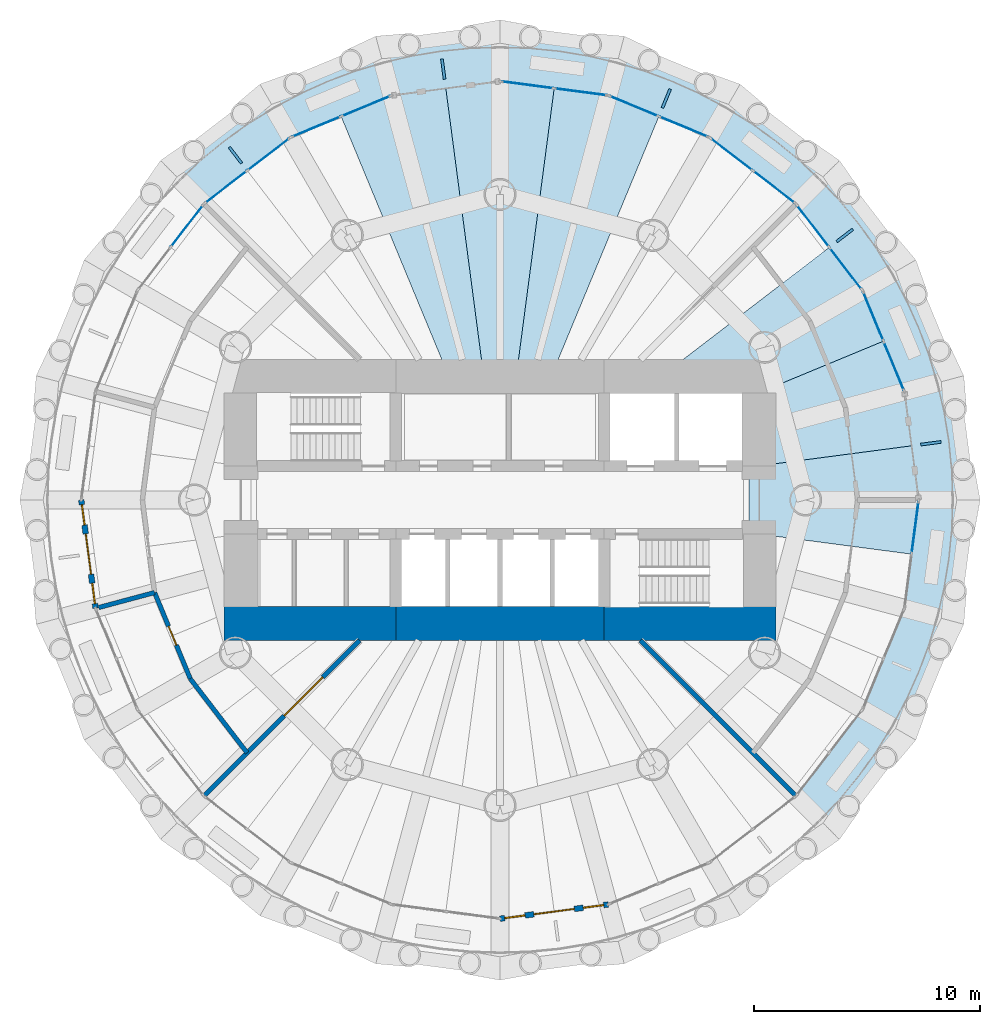
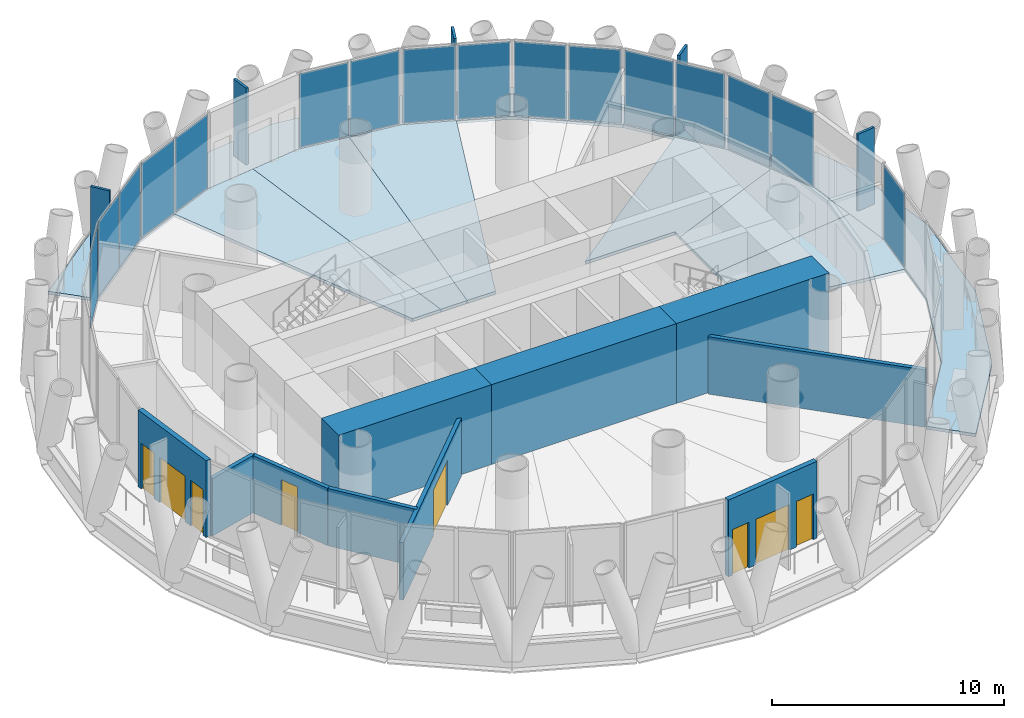
# One storey, part 7 of 12: 21 plates, 10 walls, 8 slabs, 4 doors, 4 windows, 8 openings, 9 elements without a shape of their own.
"""IFC4 building model written with IfcOpenShell, lengths in metres."""

from ifc_helpers import new_model, si_unit, direction, frame, frame_2d, origin, origin_2d, place, context, subcontext, project, spatial, polyline, rectangle, outline, extrude, material, layer, layer_set, type_object, element, fill, aggregate, save


model = new_model("IFC4")

# Units and contexts
model_context = context("Model", 3, precision=1e-05, world=origin(), true_north=direction((0.0, 1.0)))
body_context = subcontext(model_context, "Body", "Model", "MODEL_VIEW")
ifc_project = project(units=[si_unit("LENGTHUNIT", "METRE"), si_unit("AREAUNIT", "SQUARE_METRE"), si_unit("VOLUMEUNIT", "CUBIC_METRE"), si_unit("PLANEANGLEUNIT", "RADIAN"), si_unit("MASSUNIT", "GRAM", prefix="KILO")], contexts=[model_context])

# Site, building, storey
site_placement = place(None, origin())
site = spatial("IfcSite", under=ifc_project, at=site_placement, CompositionType="ELEMENT")
building_placement = place(site_placement, origin())
building = spatial("IfcBuilding", under=site, at=building_placement, Name="Qaws Media Tower", CompositionType="ELEMENT")
storey_placement = place(building_placement, frame((0.0, 0.0, 278.0)))
storey = spatial("IfcBuildingStorey", under=building, at=storey_placement, Name="L64", CompositionType="ELEMENT", Elevation=278.0)

# Slabs
ifc_material_1 = material(Name="Concrete C35/45", Category="concrete")
ifc_layer_1 = layer(ifc_material_1, 0.159912109375)
ifc_layer_set_1 = layer_set([ifc_layer_1], Name="Composite balcony slab 160")
slab_type_1 = type_object("IfcSlabType", Name="Composite balcony slab 160", PredefinedType="FLOOR", material=ifc_layer_set_1)
slab_1_placement = place(storey_placement, frame((0.0, 0.0, -0.159912109375)))
element("IfcSlab", 1, at=slab_1_placement, inside=storey, type_object=slab_type_1, Name="S2 balcony slab L64 R04 to R10, movement joints on R04 and R10", PredefinedType="FLOOR", context=body_context, shape_type="SweptSolid", body=[
    extrude(outline(polyline([(45.36279296875, 64.63720703125), (49.64990234375, 67.9267578125), (54.642333984375, 69.99462890625), (60.0, 70.699951171875), (65.357666015625, 69.99462890625), (70.35009765625, 67.9267578125), (74.63720703125, 64.63720703125), (73.08154296875, 63.08154296875), (69.25, 66.021484375), (64.7880859375, 67.86962890625), (60.0, 68.5), (55.2119140625, 67.86962890625), (50.75, 66.021484375), (46.91845703125, 63.08154296875), (45.36279296875, 64.63720703125)])), origin(), (0.0, 0.0, 1.0), 0.159912109375),
])
slab_2_placement = place(storey_placement, frame((0.0, 0.0, -0.159912109375)))
element("IfcSlab", 2, at=slab_2_placement, inside=storey, type_object=slab_type_1, Name="S2 balcony slab L64 R22 to R04, movement joints on R22 and R04", PredefinedType="FLOOR", context=body_context, shape_type="SweptSolid", body=[
    extrude(outline(polyline([(77.9267578125, 39.64990234375), (74.63720703125, 35.36279296875), (73.08154296875, 36.91845703125), (76.021484375, 40.75), (77.86962890625, 45.2119140625), (78.5, 50.0), (77.86962890625, 54.7880859375), (76.021484375, 59.25), (73.08154296875, 63.08154296875), (74.63720703125, 64.63720703125), (77.9267578125, 60.35009765625), (79.99462890625, 55.357666015625), (80.699951171875, 50.0), (79.99462890625, 44.642333984375), (77.9267578125, 39.64990234375)])), origin(), (0.0, 0.0, 1.0), 0.159912109375),
])
ifc_material_2 = material(Name="Concrete C35/45", Category="concrete")
ifc_layer_2 = layer(ifc_material_2, 0.159912109375)
ifc_layer_set_2 = layer_set([ifc_layer_2], Name="Composite floor slab 160")
slab_type_2 = type_object("IfcSlabType", Name="Composite floor slab 160", PredefinedType="FLOOR", material=ifc_layer_set_2)
slab_3_placement = place(storey_placement, frame((0.0, 0.0, -0.159912109375)))
element("IfcSlab", 3, at=slab_3_placement, inside=storey, type_object=slab_type_2, Name="S1 floor panel L64 on R01", PredefinedType="FLOOR", context=body_context, shape_type="SweptSolid", body=[
    extrude(outline(polyline([(78.5, 50.0), (78.184814453125, 47.60595703125), (71.0, 48.5517578125), (71.0, 51.4482421875), (78.184814453125, 52.39404296875), (78.5, 50.0)])), origin(), (0.0, 0.0, 1.0), 0.159912109375),
])
slab_4_placement = place(storey_placement, frame((0.0, 0.0, -0.159912109375)))
element("IfcSlab", 4, at=slab_4_placement, inside=storey, type_object=slab_type_2, Name="S1 floor panel L64 on R02", PredefinedType="FLOOR", context=body_context, shape_type="SweptSolid", body=[
    extrude(outline(polyline([(77.86962890625, 54.7880859375), (78.184814453125, 52.39404296875), (71.0, 51.4482421875), (71.0, 54.556396484375), (76.945556640625, 57.01904296875), (77.86962890625, 54.7880859375)])), origin(), (0.0, 0.0, 1.0), 0.159912109375),
])
slab_5_placement = place(storey_placement, frame((0.0, 0.0, -0.159912109375)))
element("IfcSlab", 5, at=slab_5_placement, inside=storey, type_object=slab_type_2, Name="S1 floor panel L64 on R03", PredefinedType="FLOOR", context=body_context, shape_type="SweptSolid", body=[
    extrude(outline(polyline([(76.021484375, 59.25), (76.945556640625, 57.01904296875), (71.0, 54.556396484375), (71.0, 55.0), (66.51611328125, 55.0), (74.551513671875, 61.165771484375), (76.021484375, 59.25)])), origin(), (0.0, 0.0, 1.0), 0.159912109375),
])
slab_6_placement = place(storey_placement, frame((0.0, 0.0, -0.159912109375)))
element("IfcSlab", 6, at=slab_6_placement, inside=storey, type_object=slab_type_2, Name="S1 floor panel L64 on R06", PredefinedType="FLOOR", context=body_context, shape_type="SweptSolid", body=[
    extrude(outline(polyline([(64.7880859375, 67.86962890625), (67.01904296875, 66.945556640625), (62.071044921875, 55.0), (60.658203125, 55.0), (62.39404296875, 68.184814453125), (64.7880859375, 67.86962890625)])), origin(), (0.0, 0.0, 1.0), 0.159912109375),
])
slab_7_placement = place(storey_placement, frame((0.0, 0.0, -0.159912109375)))
element("IfcSlab", 7, at=slab_7_placement, inside=storey, type_object=slab_type_2, Name="S1 floor panel L64 on R07", PredefinedType="FLOOR", context=body_context, shape_type="SweptSolid", body=[
    extrude(outline(polyline([(60.0, 68.5), (62.39404296875, 68.184814453125), (60.658203125, 55.0), (59.341796875, 55.0), (57.60595703125, 68.184814453125), (60.0, 68.5)])), origin(), (0.0, 0.0, 1.0), 0.159912109375),
])
slab_8_placement = place(storey_placement, frame((0.0, 0.0, -0.159912109375)))
element("IfcSlab", 8, at=slab_8_placement, inside=storey, type_object=slab_type_2, Name="S1 floor panel L64 on R08", PredefinedType="FLOOR", context=body_context, shape_type="SweptSolid", body=[
    extrude(outline(polyline([(55.2119140625, 67.86962890625), (57.60595703125, 68.184814453125), (59.341796875, 55.0), (57.928955078125, 55.0), (52.98095703125, 66.945556640625), (55.2119140625, 67.86962890625)])), origin(), (0.0, 0.0, 1.0), 0.159912109375),
])

# Curtain wall, plates
ifc_material_3 = material(Name="Aluminium and clear glass", Category="aluminium")
curtain_wall_type = type_object("IfcCurtainWallType", Name="Unitised curtain wall CW-D", PredefinedType="NOTDEFINED", material=ifc_material_3)
curtain_wall_1_placement = place(storey_placement, origin())
curtain_wall_1 = element("IfcCurtainWall", 9, at=curtain_wall_1_placement, inside=storey, type_object=curtain_wall_type, Name="CWD curtain wall L64-02", PredefinedType="NOTDEFINED")
ifc_material_4 = material(Name="Clear laminated double glazing", Category="glass")
ifc_layer_3 = layer(ifc_material_4, 0.031982421875)
ifc_layer_set_3 = layer_set([ifc_layer_3], Name="Curtain wall glass unit 32")
plate_type_1 = type_object("IfcPlateType", Name="Curtain wall glass unit 32", PredefinedType="CURTAIN_PANEL", material=ifc_layer_set_3)
plate_1_placement = place(storey_placement, frame((77.39990234375, 55.922119140625, 0.080078125), z_axis=(0.0, 0.0, 1.0), x_axis=(-0.382683440347, 0.923879529205, 0.0)))
plate_1 = element("IfcPlate", 10, at=plate_1_placement, type_object=plate_type_1, Name="CWD panel 1.1", PredefinedType="CURTAIN_PANEL", context=body_context, shape_type="SweptSolid", body=[
    extrude(rectangle(XDim=2.294677734375, YDim=0.031982421875, at=origin_2d()), origin(), (0.0, 0.0, 1.0), 3.8798828125),
])
plate_2_placement = place(storey_placement, frame((76.4912109375, 58.115966796875, 0.080078125), z_axis=(0.0, 0.0, 1.0), x_axis=(-0.382683440347, 0.923879529205, 0.0)))
plate_2 = element("IfcPlate", 11, at=plate_2_placement, type_object=plate_type_1, Name="CWD panel 2.1", PredefinedType="CURTAIN_PANEL", context=body_context, shape_type="SweptSolid", body=[
    extrude(rectangle(XDim=2.294677734375, YDim=0.031982421875, at=origin_2d()), origin(), (0.0, 0.0, 1.0), 3.8798828125),
])
aggregate(curtain_wall_1, [plate_1, plate_2])

curtain_wall_2_placement = place(storey_placement, origin())
curtain_wall_2 = element("IfcCurtainWall", 12, at=curtain_wall_2_placement, inside=storey, type_object=curtain_wall_type, Name="CWD curtain wall L64-03", PredefinedType="NOTDEFINED")
plate_3_placement = place(storey_placement, frame((75.2744140625, 60.2236328125, 0.080078125), z_axis=(0.0, 0.0, 1.0), x_axis=(-0.608761537012, 0.793353257417, 0.0)))
plate_3 = element("IfcPlate", 13, at=plate_3_placement, type_object=plate_type_1, Name="CWD panel 1.1", PredefinedType="CURTAIN_PANEL", context=body_context, shape_type="SweptSolid", body=[
    extrude(rectangle(XDim=2.294677734375, YDim=0.031982421875, at=origin_2d()), origin(), (0.0, 0.0, 1.0), 3.8798828125),
])
plate_4_placement = place(storey_placement, frame((73.82861328125, 62.107666015625, 0.080078125), z_axis=(0.0, 0.0, 1.0), x_axis=(-0.608761537012, 0.793353257417, 0.0)))
plate_4 = element("IfcPlate", 14, at=plate_4_placement, type_object=plate_type_1, Name="CWD panel 2.1", PredefinedType="CURTAIN_PANEL", context=body_context, shape_type="SweptSolid", body=[
    extrude(rectangle(XDim=2.294677734375, YDim=0.031982421875, at=origin_2d()), origin(), (0.0, 0.0, 1.0), 3.8798828125),
])
aggregate(curtain_wall_2, [plate_3, plate_4])

curtain_wall_3_placement = place(storey_placement, origin())
curtain_wall_3 = element("IfcCurtainWall", 15, at=curtain_wall_3_placement, inside=storey, type_object=curtain_wall_type, Name="CWD curtain wall L64-04", PredefinedType="NOTDEFINED")
plate_5_placement = place(storey_placement, frame((72.107666015625, 63.82861328125, 0.080078125), z_axis=(0.0, 0.0, 1.0), x_axis=(-0.793353257417, 0.608761537012, 0.0)))
plate_5 = element("IfcPlate", 16, at=plate_5_placement, type_object=plate_type_1, Name="CWD panel 1.1", PredefinedType="CURTAIN_PANEL", context=body_context, shape_type="SweptSolid", body=[
    extrude(rectangle(XDim=2.294677734375, YDim=0.031982421875, at=origin_2d()), origin(), (0.0, 0.0, 1.0), 3.8798828125),
])
plate_6_placement = place(storey_placement, frame((70.2236328125, 65.2744140625, 0.080078125), z_axis=(0.0, 0.0, 1.0), x_axis=(-0.793353257417, 0.608761537012, 0.0)))
plate_6 = element("IfcPlate", 17, at=plate_6_placement, type_object=plate_type_1, Name="CWD panel 2.1", PredefinedType="CURTAIN_PANEL", context=body_context, shape_type="SweptSolid", body=[
    extrude(rectangle(XDim=2.294677734375, YDim=0.031982421875, at=origin_2d()), origin(), (0.0, 0.0, 1.0), 3.8798828125),
])
aggregate(curtain_wall_3, [plate_5, plate_6])

curtain_wall_4_placement = place(storey_placement, origin())
curtain_wall_4 = element("IfcCurtainWall", 18, at=curtain_wall_4_placement, inside=storey, type_object=curtain_wall_type, Name="CWD curtain wall L64-05", PredefinedType="NOTDEFINED")
plate_7_placement = place(storey_placement, frame((68.115966796875, 66.4912109375, 0.080078125), z_axis=(0.0, 0.0, 1.0), x_axis=(-0.923879529205, 0.382683440347, 0.0)))
plate_7 = element("IfcPlate", 19, at=plate_7_placement, type_object=plate_type_1, Name="CWD panel 1.1", PredefinedType="CURTAIN_PANEL", context=body_context, shape_type="SweptSolid", body=[
    extrude(rectangle(XDim=2.294677734375, YDim=0.031982421875, at=origin_2d()), origin(), (0.0, 0.0, 1.0), 3.8798828125),
])
plate_8_placement = place(storey_placement, frame((65.922119140625, 67.39990234375, 0.080078125), z_axis=(0.0, 0.0, 1.0), x_axis=(-0.923879529205, 0.382683440347, 0.0)))
plate_8 = element("IfcPlate", 20, at=plate_8_placement, type_object=plate_type_1, Name="CWD panel 2.1", PredefinedType="CURTAIN_PANEL", context=body_context, shape_type="SweptSolid", body=[
    extrude(rectangle(XDim=2.294677734375, YDim=0.031982421875, at=origin_2d()), origin(), (0.0, 0.0, 1.0), 3.8798828125),
])
aggregate(curtain_wall_4, [plate_7, plate_8])

curtain_wall_5_placement = place(storey_placement, origin())
curtain_wall_5 = element("IfcCurtainWall", 21, at=curtain_wall_5_placement, inside=storey, type_object=curtain_wall_type, Name="CWD curtain wall L64-06", PredefinedType="NOTDEFINED")
plate_9_placement = place(storey_placement, frame((63.5712890625, 68.02978515625, 0.080078125), z_axis=(0.0, 0.0, 1.0), x_axis=(-0.991444865919, 0.130526157699, 0.0)))
plate_9 = element("IfcPlate", 22, at=plate_9_placement, type_object=plate_type_1, Name="CWD panel 1.1", PredefinedType="CURTAIN_PANEL", context=body_context, shape_type="SweptSolid", body=[
    extrude(rectangle(XDim=2.294677734375, YDim=0.031982421875, at=origin_2d()), origin(), (0.0, 0.0, 1.0), 3.8798828125),
])
plate_10_placement = place(storey_placement, frame((61.216796875, 68.33984375, 0.080078125), z_axis=(0.0, 0.0, 1.0), x_axis=(-0.991444865919, 0.130526157699, 0.0)))
plate_10 = element("IfcPlate", 23, at=plate_10_placement, type_object=plate_type_1, Name="CWD panel 2.1", PredefinedType="CURTAIN_PANEL", context=body_context, shape_type="SweptSolid", body=[
    extrude(rectangle(XDim=2.294677734375, YDim=0.031982421875, at=origin_2d()), origin(), (0.0, 0.0, 1.0), 3.8798828125),
])
aggregate(curtain_wall_5, [plate_9, plate_10])

curtain_wall_6_placement = place(storey_placement, origin())
curtain_wall_6 = element("IfcCurtainWall", 24, at=curtain_wall_6_placement, inside=storey, type_object=curtain_wall_type, Name="CWD curtain wall L64-08", PredefinedType="NOTDEFINED")
plate_11_placement = place(storey_placement, frame((54.077880859375, 67.39990234375, 0.080078125), z_axis=(0.0, 0.0, 1.0), x_axis=(-0.923879529205, -0.382683440347, 0.0)))
plate_11 = element("IfcPlate", 25, at=plate_11_placement, type_object=plate_type_1, Name="CWD panel 1.1", PredefinedType="CURTAIN_PANEL", context=body_context, shape_type="SweptSolid", body=[
    extrude(rectangle(XDim=2.294677734375, YDim=0.031982421875, at=origin_2d()), origin(), (0.0, 0.0, 1.0), 3.8798828125),
])
plate_12_placement = place(storey_placement, frame((51.884033203125, 66.4912109375, 0.080078125), z_axis=(0.0, 0.0, 1.0), x_axis=(-0.923879529205, -0.382683440347, 0.0)))
plate_12 = element("IfcPlate", 26, at=plate_12_placement, type_object=plate_type_1, Name="CWD panel 2.1", PredefinedType="CURTAIN_PANEL", context=body_context, shape_type="SweptSolid", body=[
    extrude(rectangle(XDim=2.294677734375, YDim=0.031982421875, at=origin_2d()), origin(), (0.0, 0.0, 1.0), 3.8798828125),
])
aggregate(curtain_wall_6, [plate_11, plate_12])

curtain_wall_7_placement = place(storey_placement, origin())
curtain_wall_7 = element("IfcCurtainWall", 27, at=curtain_wall_7_placement, inside=storey, type_object=curtain_wall_type, Name="CWD curtain wall L64-09", PredefinedType="NOTDEFINED")
plate_13_placement = place(storey_placement, frame((49.7763671875, 65.2744140625, 0.080078125), z_axis=(0.0, 0.0, 1.0), x_axis=(-0.793353257417, -0.608761537012, 0.0)))
plate_13 = element("IfcPlate", 28, at=plate_13_placement, type_object=plate_type_1, Name="CWD panel 1.1", PredefinedType="CURTAIN_PANEL", context=body_context, shape_type="SweptSolid", body=[
    extrude(rectangle(XDim=2.294677734375, YDim=0.031982421875, at=origin_2d()), origin(), (0.0, 0.0, 1.0), 3.8798828125),
])
plate_14_placement = place(storey_placement, frame((47.892333984375, 63.82861328125, 0.080078125), z_axis=(0.0, 0.0, 1.0), x_axis=(-0.793353257417, -0.608761537012, 0.0)))
plate_14 = element("IfcPlate", 29, at=plate_14_placement, type_object=plate_type_1, Name="CWD panel 2.1", PredefinedType="CURTAIN_PANEL", context=body_context, shape_type="SweptSolid", body=[
    extrude(rectangle(XDim=2.294677734375, YDim=0.031982421875, at=origin_2d()), origin(), (0.0, 0.0, 1.0), 3.8798828125),
])
aggregate(curtain_wall_7, [plate_13, plate_14])

# Curtain wall, plate
curtain_wall_8_placement = place(storey_placement, origin())
curtain_wall_8 = element("IfcCurtainWall", 30, at=curtain_wall_8_placement, inside=storey, type_object=curtain_wall_type, Name="CWD curtain wall L64-10", PredefinedType="NOTDEFINED")
plate_15_placement = place(storey_placement, frame((46.17138671875, 62.107666015625, 0.080078125), z_axis=(0.0, 0.0, 1.0), x_axis=(-0.608761537012, -0.793353257417, 0.0)))
plate_15 = element("IfcPlate", 31, at=plate_15_placement, type_object=plate_type_1, Name="CWD panel 1.1", PredefinedType="CURTAIN_PANEL", context=body_context, shape_type="SweptSolid", body=[
    extrude(rectangle(XDim=2.294677734375, YDim=0.031982421875, at=origin_2d()), origin(), (0.0, 0.0, 1.0), 3.8798828125),
])
aggregate(curtain_wall_8, [plate_15])

curtain_wall_9_placement = place(storey_placement, origin())
curtain_wall_9 = element("IfcCurtainWall", 32, at=curtain_wall_9_placement, inside=storey, type_object=curtain_wall_type, Name="CWD curtain wall L64-24", PredefinedType="NOTDEFINED")
plate_16_placement = place(storey_placement, frame((78.33984375, 48.783203125, 0.080078125), z_axis=(0.0, 0.0, 1.0), x_axis=(0.130526157699, 0.991444865919, 0.0)))
plate_16 = element("IfcPlate", 33, at=plate_16_placement, type_object=plate_type_1, Name="CWD panel 2.1", PredefinedType="CURTAIN_PANEL", context=body_context, shape_type="SweptSolid", body=[
    extrude(rectangle(XDim=2.294677734375, YDim=0.031982421875, at=origin_2d()), origin(), (0.0, 0.0, 1.0), 3.8798828125),
])
aggregate(curtain_wall_9, [plate_16])

# Plates
ifc_material_5 = material(Name="Precast concrete screen fin", Category="concrete")
ifc_layer_4 = layer(ifc_material_5, 0.1201171875)
ifc_layer_set_4 = layer_set([ifc_layer_4], Name="Screen fin 120x900")
plate_type_2 = type_object("IfcPlateType", Name="Screen fin 120x900", PredefinedType="USERDEFINED", material=ifc_layer_set_4)
for number, where, z_axis, x_axis, name in (
    (34, (79.03564453125, 52.506103515625, 0.0), (0.0, 0.0, 1.0), (0.991444861374, 0.13052619222, 0.0), "SCR1 screen fin L64-01"),
    (35, (75.232421875, 61.688232421875, 0.0), (0.0, 0.0, 1.0), (0.793353340291, 0.608761429009, 0.0), "SCR1 screen fin L64-02"),
    (36, (67.347412109375, 67.738525390625, 0.0), (0.0, 0.0, 1.0), (0.382683432365, 0.923879532511, 0.0), "SCR1 screen fin L64-03"),
    (37, (57.493896484375, 69.03564453125, 0.0), (0.0, 0.0, 1.0), (-0.13052619222, 0.991444861374, 0.0), "SCR1 screen fin L64-04"),
    (38, (48.311767578125, 65.232421875, 0.0), (0.0, 0.0, 1.0), (-0.608761429009, 0.793353340291, 0.0), "SCR1 screen fin L64-05"),
):
    element("IfcPlate", number, at=place(storey_placement, frame(where, z_axis=z_axis, x_axis=x_axis)), inside=storey, type_object=plate_type_2, Name=name, ObjectType="SCREEN", PredefinedType="USERDEFINED", context=body_context, shape_type="SweptSolid", body=[
        extrude(rectangle(XDim=0.89990234375, YDim=0.1201171875, at=origin_2d()), origin(), (0.0, 0.0, 1.0), 4.0400390625),
    ])

# Wall, openings, door, windows
ifc_material_6 = material(Name="Precast concrete, exposed finish", Category="concrete")
ifc_layer_5 = layer(ifc_material_6, 0.25)
ifc_layer_set_5 = layer_set([ifc_layer_5], Name="Balcony door wall 250")
wall_type_1 = type_object("IfcWallType", Name="Balcony door wall 250", PredefinedType="SOLIDWALL", material=ifc_layer_set_5)
wall_1_placement = place(storey_placement, frame((41.5, 50.0, 0.0), z_axis=(0.0, 0.0, 1.0), x_axis=(0.130527743461, -0.991444657148, 0.0)))
wall_1 = element("IfcWall", 39, at=wall_1_placement, inside=storey, type_object=wall_type_1, Name="W292 EW1 balcony door wall L64-13", PredefinedType="SOLIDWALL", context=body_context, shape_type="SweptSolid", body=[
    extrude(rectangle(XDim=4.829345703125, YDim=0.25, at=frame_2d((2.41455078125, 0.0))), origin(), (0.0, 0.0, 1.0), 4.0400390625),
])
opening_1_placement = place(wall_1_placement, frame((1.5146484375, 0.0, 0.0)))
opening_1 = element("IfcOpeningElement", 40, at=opening_1_placement, cuts=wall_1, Name="Opening D7", PredefinedType="OPENING", context=body_context, shape_type="SweptSolid", body=[
    extrude(rectangle(XDim=1.800048828125, YDim=2.39990234375, at=frame_2d((0.89990234375, 1.199951171875))), frame((0.0, 0.135009765625, 0.0), z_axis=(0.0, -1.0, 0.0), x_axis=(1.0, 0.0, 0.0)), (0.0, 0.0, 1.0), 0.27001953125),
])
opening_2_placement = place(wall_1_placement, frame((0.21484375, 0.0, 0.0)))
opening_2 = element("IfcOpeningElement", 41, at=opening_2_placement, cuts=wall_1, Name="Opening W7", PredefinedType="OPENING", context=body_context, shape_type="SweptSolid", body=[
    extrude(rectangle(XDim=0.89990234375, YDim=2.39990234375, at=frame_2d((0.449951171875, 1.199951171875))), frame((0.0, 0.135009765625, 0.0), z_axis=(0.0, -1.0, 0.0), x_axis=(1.0, 0.0, 0.0)), (0.0, 0.0, 1.0), 0.27001953125),
])
opening_3_placement = place(wall_1_placement, frame((3.71484375, 0.0, 0.0)))
opening_3 = element("IfcOpeningElement", 42, at=opening_3_placement, cuts=wall_1, Name="Opening W7", PredefinedType="OPENING", context=body_context, shape_type="SweptSolid", body=[
    extrude(rectangle(XDim=0.89990234375, YDim=2.39990234375, at=frame_2d((0.449951171875, 1.199951171875))), frame((0.0, 0.135009765625, 0.0), z_axis=(0.0, -1.0, 0.0), x_axis=(1.0, 0.0, 0.0)), (0.0, 0.0, 1.0), 0.27001953125),
])
ifc_material_7 = material(Name="Aluminium and clear glass", Category="aluminium")
door_type_1 = type_object("IfcDoorType", Name="Balcony door pair 1800", OperationType="DOUBLE_DOOR_SLIDING", PredefinedType="DOOR", material=ifc_material_7)
door_1_placement = place(opening_1_placement, origin())
door_1 = element("IfcDoor", 43, at=door_1_placement, inside=storey, type_object=door_type_1, Name="D7 balcony door L64-13 in wall W292", OperationType="DOUBLE_DOOR_SLIDING", OverallHeight=2.39990234375, OverallWidth=1.800048828125, PredefinedType="DOOR", context=body_context, shape_type="SweptSolid", body=[
    extrude(rectangle(XDim=1.800048828125, YDim=2.39990234375, at=frame_2d((0.89990234375, 1.199951171875))), frame((0.0, 0.02490234375, 0.0), z_axis=(0.0, -1.0, 0.0), x_axis=(1.0, 0.0, 0.0)), (0.0, 0.0, 1.0), 0.050048828125),
])
fill(opening_1, door_1)
ifc_material_8 = material(Name="Aluminium and clear glass", Category="aluminium")
window_type = type_object("IfcWindowType", Name="Balcony side window 900", PartitioningType="SINGLE_PANEL", PredefinedType="WINDOW", material=ifc_material_8)
window_1_placement = place(opening_2_placement, origin())
window_1 = element("IfcWindow", 44, at=window_1_placement, inside=storey, type_object=window_type, Name="W1 balcony side light L64-13L", OverallHeight=2.39990234375, OverallWidth=0.89990234375, PartitioningType="SINGLE_PANEL", PredefinedType="WINDOW", context=body_context, shape_type="SweptSolid", body=[
    extrude(rectangle(XDim=0.89990234375, YDim=2.39990234375, at=frame_2d((0.449951171875, 1.199951171875))), frame((0.0, 0.030029296875, 0.0), z_axis=(0.0, -1.0, 0.0), x_axis=(1.0, 0.0, 0.0)), (0.0, 0.0, 1.0), 0.06005859375),
])
fill(opening_2, window_1)
window_2_placement = place(opening_3_placement, origin())
window_2 = element("IfcWindow", 45, at=window_2_placement, inside=storey, type_object=window_type, Name="W1 balcony side light L64-13R", OverallHeight=2.39990234375, OverallWidth=0.89990234375, PartitioningType="SINGLE_PANEL", PredefinedType="WINDOW", context=body_context, shape_type="SweptSolid", body=[
    extrude(rectangle(XDim=0.89990234375, YDim=2.39990234375, at=frame_2d((0.449951171875, 1.199951171875))), frame((0.0, 0.030029296875, 0.0), z_axis=(0.0, -1.0, 0.0), x_axis=(1.0, 0.0, 0.0)), (0.0, 0.0, 1.0), 0.06005859375),
])
fill(opening_3, window_2)

wall_2_placement = place(storey_placement, frame((60.0, 31.5, 0.0), z_axis=(0.0, 0.0, 1.0), x_axis=(0.991444657148, 0.130527743461, 0.0)))
wall_2 = element("IfcWall", 46, at=wall_2_placement, inside=storey, type_object=wall_type_1, Name="W293 EW1 balcony door wall L64-19", PredefinedType="SOLIDWALL", context=body_context, shape_type="SweptSolid", body=[
    extrude(rectangle(XDim=4.829345703125, YDim=0.25, at=frame_2d((2.41455078125, 0.0))), origin(), (0.0, 0.0, 1.0), 4.0400390625),
])
opening_4_placement = place(wall_2_placement, frame((1.5146484375, 0.0, 0.0)))
opening_4 = element("IfcOpeningElement", 47, at=opening_4_placement, cuts=wall_2, Name="Opening D7", PredefinedType="OPENING", context=body_context, shape_type="SweptSolid", body=[
    extrude(rectangle(XDim=1.800048828125, YDim=2.39990234375, at=frame_2d((0.89990234375, 1.199951171875))), frame((0.0, 0.135009765625, 0.0), z_axis=(0.0, -1.0, 0.0), x_axis=(1.0, 0.0, 0.0)), (0.0, 0.0, 1.0), 0.27001953125),
])
opening_5_placement = place(wall_2_placement, frame((0.21484375, 0.0, 0.0)))
opening_5 = element("IfcOpeningElement", 48, at=opening_5_placement, cuts=wall_2, Name="Opening W7", PredefinedType="OPENING", context=body_context, shape_type="SweptSolid", body=[
    extrude(rectangle(XDim=0.89990234375, YDim=2.39990234375, at=frame_2d((0.449951171875, 1.199951171875))), frame((0.0, 0.135009765625, 0.0), z_axis=(0.0, -1.0, 0.0), x_axis=(1.0, 0.0, 0.0)), (0.0, 0.0, 1.0), 0.27001953125),
])
opening_6_placement = place(wall_2_placement, frame((3.71484375, 0.0, 0.0)))
opening_6 = element("IfcOpeningElement", 49, at=opening_6_placement, cuts=wall_2, Name="Opening W7", PredefinedType="OPENING", context=body_context, shape_type="SweptSolid", body=[
    extrude(rectangle(XDim=0.89990234375, YDim=2.39990234375, at=frame_2d((0.449951171875, 1.199951171875))), frame((0.0, 0.135009765625, 0.0), z_axis=(0.0, -1.0, 0.0), x_axis=(1.0, 0.0, 0.0)), (0.0, 0.0, 1.0), 0.27001953125),
])
door_2_placement = place(opening_4_placement, origin())
door_2 = element("IfcDoor", 50, at=door_2_placement, inside=storey, type_object=door_type_1, Name="D7 balcony door L64-19 in wall W293", OperationType="DOUBLE_DOOR_SLIDING", OverallHeight=2.39990234375, OverallWidth=1.800048828125, PredefinedType="DOOR", context=body_context, shape_type="SweptSolid", body=[
    extrude(rectangle(XDim=1.800048828125, YDim=2.39990234375, at=frame_2d((0.89990234375, 1.199951171875))), frame((0.0, 0.02490234375, 0.0), z_axis=(0.0, -1.0, 0.0), x_axis=(1.0, 0.0, 0.0)), (0.0, 0.0, 1.0), 0.050048828125),
])
fill(opening_4, door_2)
window_3_placement = place(opening_5_placement, origin())
window_3 = element("IfcWindow", 51, at=window_3_placement, inside=storey, type_object=window_type, Name="W1 balcony side light L64-19L", OverallHeight=2.39990234375, OverallWidth=0.89990234375, PartitioningType="SINGLE_PANEL", PredefinedType="WINDOW", context=body_context, shape_type="SweptSolid", body=[
    extrude(rectangle(XDim=0.89990234375, YDim=2.39990234375, at=frame_2d((0.449951171875, 1.199951171875))), frame((0.0, 0.030029296875, 0.0), z_axis=(0.0, -1.0, 0.0), x_axis=(1.0, 0.0, 0.0)), (0.0, 0.0, 1.0), 0.06005859375),
])
fill(opening_5, window_3)
window_4_placement = place(opening_6_placement, origin())
window_4 = element("IfcWindow", 52, at=window_4_placement, inside=storey, type_object=window_type, Name="W1 balcony side light L64-19R", OverallHeight=2.39990234375, OverallWidth=0.89990234375, PartitioningType="SINGLE_PANEL", PredefinedType="WINDOW", context=body_context, shape_type="SweptSolid", body=[
    extrude(rectangle(XDim=0.89990234375, YDim=2.39990234375, at=frame_2d((0.449951171875, 1.199951171875))), frame((0.0, 0.030029296875, 0.0), z_axis=(0.0, -1.0, 0.0), x_axis=(1.0, 0.0, 0.0)), (0.0, 0.0, 1.0), 0.06005859375),
])
fill(opening_6, window_4)

# Walls
ifc_material_9 = material(Name="Concrete C60/75", Category="concrete")
ifc_layer_6 = layer(ifc_material_9, 1.5)
ifc_layer_set_6 = layer_set([ifc_layer_6], Name="Core wall 1500")
wall_type_2 = type_object("IfcWallType", Name="Core wall 1500", PredefinedType="SHEAR", material=ifc_layer_set_6)
wall_3_placement = place(storey_placement, frame((47.800048828125, 44.550048828125, 0.0), z_axis=(0.0, 0.0, 1.0), x_axis=(1.0, 0.0, 0.0)))
element("IfcWall", 53, at=wall_3_placement, inside=storey, type_object=wall_type_2, Name="W376 SW13 core wall SW L64", PredefinedType="SHEAR", context=body_context, shape_type="SweptSolid", body=[
    extrude(rectangle(XDim=7.599853515625, YDim=1.5, at=frame_2d((3.7998046875, 0.0))), origin(), (0.0, 0.0, 1.0), 4.199951171875),
])
wall_4_placement = place(storey_placement, frame((55.39990234375, 44.550048828125, 0.0), z_axis=(0.0, 0.0, 1.0), x_axis=(1.0, 0.0, 0.0)))
element("IfcWall", 54, at=wall_4_placement, inside=storey, type_object=wall_type_2, Name="W372 SW13 core wall S L64", PredefinedType="SHEAR", context=body_context, shape_type="SweptSolid", body=[
    extrude(rectangle(XDim=9.2001953125, YDim=1.5, at=frame_2d((4.60009765625, 0.0))), origin(), (0.0, 0.0, 1.0), 4.199951171875),
])
wall_5_placement = place(storey_placement, frame((64.60009765625, 44.550048828125, 0.0), z_axis=(0.0, 0.0, 1.0), x_axis=(1.0, 0.0, 0.0)))
element("IfcWall", 55, at=wall_5_placement, inside=storey, type_object=wall_type_2, Name="W381 SW13 core wall SE L64", PredefinedType="SHEAR", context=body_context, shape_type="SweptSolid", body=[
    extrude(rectangle(XDim=7.599853515625, YDim=1.5, at=frame_2d((3.7998046875, 0.0))), origin(), (0.0, 0.0, 1.0), 4.199951171875),
])
ifc_material_10 = material(Name="Gypsum board on galvanised metal studs, acoustic double stud, deflection head", Category="gypsum")
ifc_layer_7 = layer(ifc_material_10, 0.199951171875)
ifc_layer_set_7 = layer_set([ifc_layer_7], Name="Room partition 200")
wall_type_3 = type_object("IfcWallType", Name="Room partition 200", PredefinedType="PARTITIONING", material=ifc_layer_set_7)
wall_6_placement = place(storey_placement, frame((48.82763671875, 38.82763671875, 0.0), z_axis=(0.0, 0.0, 1.0), x_axis=(-0.608714823874, 0.793389099494, 0.0)))
element("IfcWall", 56, at=wall_6_placement, inside=storey, type_object=wall_type_3, Name="W1714 IW3 partition L64", PredefinedType="PARTITIONING", context=body_context, shape_type="SweptSolid", body=[
    extrude(rectangle(XDim=4.124755859375, YDim=0.199951171875, at=frame_2d((2.0625, 0.0))), origin(), (0.0, 0.0, 1.0), 3.02001953125),
])

# Wall, opening, door
wall_7_placement = place(storey_placement, frame((46.31689453125, 42.10009765625, 0.0), z_axis=(0.0, 0.0, 1.0), x_axis=(-0.382731667114, 0.923859551549, 0.0)))
wall_7 = element("IfcWall", 57, at=wall_7_placement, inside=storey, type_object=wall_type_3, Name="W1711 IW3 partition L64", PredefinedType="PARTITIONING", context=body_context, shape_type="SweptSolid", body=[
    extrude(rectangle(XDim=4.12451171875, YDim=0.199951171875, at=frame_2d((2.062255859375, 0.0))), origin(), (0.0, 0.0, 1.0), 3.02001953125),
])
opening_7_placement = place(wall_7_placement, frame((1.6123046875, 0.0, 0.0)))
opening_7 = element("IfcOpeningElement", 58, at=opening_7_placement, cuts=wall_7, Name="Opening D12", PredefinedType="OPENING", context=body_context, shape_type="SweptSolid", body=[
    extrude(rectangle(XDim=0.89990234375, YDim=2.39990234375, at=frame_2d((0.449951171875, 1.199951171875))), frame((0.0, 0.10986328125, 0.0), z_axis=(0.0, -1.0, 0.0), x_axis=(1.0, 0.0, 0.0)), (0.0, 0.0, 1.0), 0.219970703125),
])
ifc_material_11 = material(Name="Timber veneered, full height", Category="wood")
door_type_2 = type_object("IfcDoorType", Name="Office door 900x2400", OperationType="SINGLE_SWING_LEFT", PredefinedType="DOOR", material=ifc_material_11)
door_3_placement = place(opening_7_placement, origin())
door_3 = element("IfcDoor", 59, at=door_3_placement, inside=storey, type_object=door_type_2, Name="D12 Guest office door L64 in wall W1711", OperationType="SINGLE_SWING_LEFT", OverallHeight=2.39990234375, OverallWidth=0.89990234375, PredefinedType="DOOR", context=body_context, shape_type="SweptSolid", body=[
    extrude(rectangle(XDim=0.89990234375, YDim=2.39990234375, at=frame_2d((0.449951171875, 1.199951171875))), frame((0.0, 0.02490234375, 0.0), z_axis=(0.0, -1.0, 0.0), x_axis=(1.0, 0.0, 0.0)), (0.0, 0.0, 1.0), 0.050048828125),
])
fill(opening_7, door_3)

# Wall
wall_8_placement = place(storey_placement, frame((44.73828125, 45.91064453125, 0.0), z_axis=(0.0, 0.0, 1.0), x_axis=(-0.965920805306, -0.258837782939, 0.0)))
element("IfcWall", 60, at=wall_8_placement, inside=storey, type_object=wall_type_3, Name="W1775 IW3 partition L64", PredefinedType="PARTITIONING", context=body_context, shape_type="SweptSolid", body=[
    extrude(rectangle(XDim=2.559814453125, YDim=0.199951171875, at=frame_2d((1.27978515625, 0.0))), origin(), (0.0, 0.0, 1.0), 3.02001953125),
])

# Wall, opening, door
wall_9_placement = place(storey_placement, frame((53.800048828125, 43.800048828125, 0.0), z_axis=(0.0, 0.0, 1.0), x_axis=(-0.707106781187, -0.707106781187, 0.0)))
wall_9 = element("IfcWall", 61, at=wall_9_placement, inside=storey, type_object=wall_type_3, Name="W1777 IW3 partition L64", PredefinedType="PARTITIONING", context=body_context, shape_type="SweptSolid", body=[
    extrude(rectangle(XDim=9.69189453125, YDim=0.199951171875, at=frame_2d((4.845947265625, 0.0))), origin(), (0.0, 0.0, 1.0), 3.02001953125),
])
opening_8_placement = place(wall_9_placement, frame((2.31591796875, 0.0, 0.0)))
opening_8 = element("IfcOpeningElement", 62, at=opening_8_placement, cuts=wall_9, Name="Opening D17", PredefinedType="OPENING", context=body_context, shape_type="SweptSolid", body=[
    extrude(rectangle(XDim=2.39990234375, YDim=2.39990234375, at=frame_2d((1.199951171875, 1.199951171875))), frame((0.0, 0.10986328125, 0.0), z_axis=(0.0, -1.0, 0.0), x_axis=(1.0, 0.0, 0.0)), (0.0, 0.0, 1.0), 0.219970703125),
])
ifc_material_12 = material(Name="Timber veneered, panic hardware", Category="wood")
door_type_3 = type_object("IfcDoorType", Name="Assembly room door pair 2400x2400", OperationType="DOUBLE_DOOR_DOUBLE_SWING", PredefinedType="DOOR", material=ifc_material_12)
door_4_placement = place(opening_8_placement, origin())
door_4 = element("IfcDoor", 63, at=door_4_placement, inside=storey, type_object=door_type_3, Name="D17 Private dining room door L64 in wall W1777", OperationType="DOUBLE_DOOR_DOUBLE_SWING", OverallHeight=2.39990234375, OverallWidth=2.39990234375, PredefinedType="DOOR", context=body_context, shape_type="SweptSolid", body=[
    extrude(rectangle(XDim=2.39990234375, YDim=2.39990234375, at=frame_2d((1.199951171875, 1.199951171875))), frame((0.0, 0.02490234375, 0.0), z_axis=(0.0, -1.0, 0.0), x_axis=(1.0, 0.0, 0.0)), (0.0, 0.0, 1.0), 0.050048828125),
])
fill(opening_8, door_4)

# Wall
wall_10_placement = place(storey_placement, frame((66.199951171875, 43.800048828125, 0.0), z_axis=(0.0, 0.0, 1.0), x_axis=(0.707106781187, -0.707106781187, 0.0)))
element("IfcWall", 64, at=wall_10_placement, inside=storey, type_object=wall_type_3, Name="W1780 IW3 partition L64", PredefinedType="PARTITIONING", context=body_context, shape_type="SweptSolid", body=[
    extrude(rectangle(XDim=9.69189453125, YDim=0.199951171875, at=frame_2d((4.845947265625, 0.0))), origin(), (0.0, 0.0, 1.0), 3.02001953125),
])

save(model, "model.ifc")
